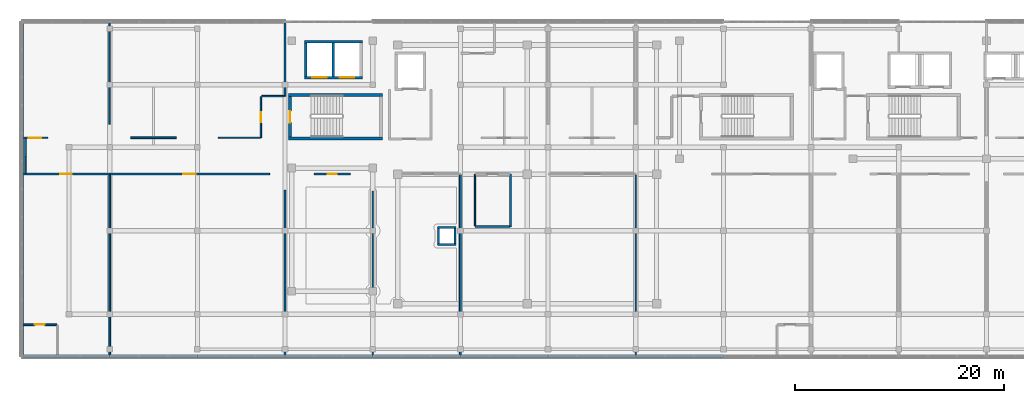
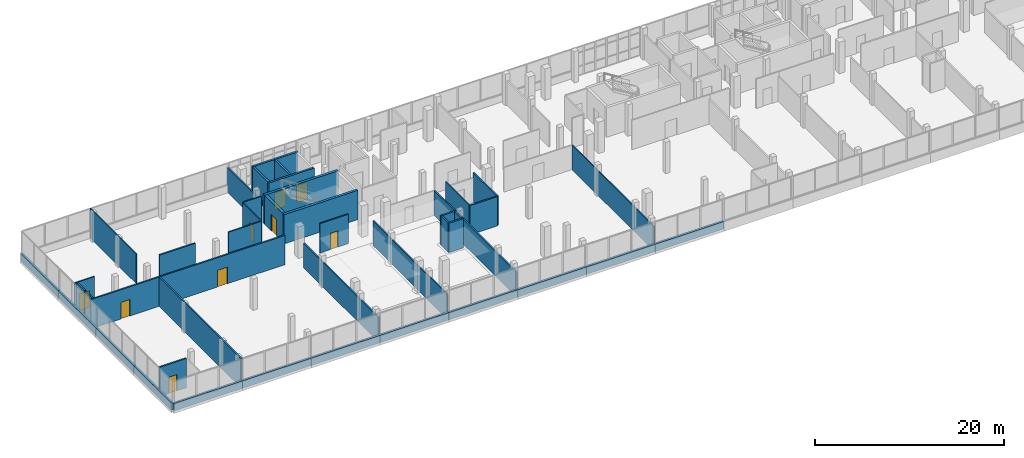
# One storey, part 55 of 66: 44 walls, 9 doors, 9 openings.
"""IFC4 building model written with IfcOpenShell, lengths in metres."""

from ifc_helpers import new_model, si_unit, direction, frame, frame_2d, origin, place, context, subcontext, project, spatial, rectangle, extrude, material, layer, layer_set, type_object, element, fill, save


model = new_model("IFC4")

# Units and contexts
model_context = context("Model", 3, precision=1e-05, world=origin(), true_north=direction((0.0, 1.0)))
body_context = subcontext(model_context, "Body", "Model", "MODEL_VIEW")
ifc_project = project(units=[si_unit("LENGTHUNIT", "METRE"), si_unit("AREAUNIT", "SQUARE_METRE"), si_unit("VOLUMEUNIT", "CUBIC_METRE"), si_unit("PLANEANGLEUNIT", "RADIAN"), si_unit("MASSUNIT", "GRAM", prefix="KILO")], contexts=[model_context])

# Site, building, storey
site_placement = place(None, origin())
site = spatial("IfcSite", under=ifc_project, at=site_placement, CompositionType="ELEMENT")
building_placement = place(site_placement, origin())
building = spatial("IfcBuilding", under=site, at=building_placement, Name="Selatvlak General Hospital", CompositionType="ELEMENT")
storey_placement = place(building_placement, frame((0.0, 0.0, 31.35009765625)))
storey = spatial("IfcBuildingStorey", under=building, at=storey_placement, Name="L07", CompositionType="ELEMENT", Elevation=31.35009765625)

# Walls
ifc_material_1 = material(Name="Precast concrete C40/50 - white Bauhaus spandrel", Category="concrete")
ifc_layer_1 = layer(ifc_material_1, 0.280029296875, Name="Precast concrete C40/50 - white Bauhaus spandrel", Category="concrete")
ifc_layer_set_1 = layer_set([ifc_layer_1], Name="Precast concrete C40/50 - white Bauhaus spandrel")
wall_type_1 = type_object("IfcWallType", Name="WALL-EW-02", PredefinedType="SOLIDWALL", material=ifc_layer_set_1)
wall_1_placement = place(storey_placement, frame((22.800048828125, 88.139892578125, 0.0), z_axis=(0.0, 0.0, 1.0), x_axis=(0.0, 1.0, 0.0)))
element("IfcWall", 1, at=wall_1_placement, inside=storey, type_object=wall_type_1, Name="L07 Bauhaus spandrel sill wall 0565", PredefinedType="SOLIDWALL", context=body_context, shape_type="SweptSolid", body=[
    extrude(rectangle(XDim=7.858154296875, YDim=0.280029296875, at=frame_2d((3.92919921875, 0.0))), origin(), (0.0, 0.0, 1.0), 0.93994140625),
])
wall_2_placement = place(storey_placement, frame((22.800048828125, 96.001953125, 0.0), z_axis=(0.0, 0.0, 1.0), x_axis=(0.0, 1.0, 0.0)))
element("IfcWall", 2, at=wall_2_placement, inside=storey, type_object=wall_type_1, Name="L07 Bauhaus spandrel sill wall 0566", PredefinedType="SOLIDWALL", context=body_context, shape_type="SweptSolid", body=[
    extrude(rectangle(XDim=7.9951171875, YDim=0.280029296875, at=frame_2d((3.99755859375, 0.0))), origin(), (0.0, 0.0, 1.0), 0.93994140625),
])
wall_3_placement = place(storey_placement, frame((22.800048828125, 104.0009765625, 0.0), z_axis=(0.0, 0.0, 1.0), x_axis=(0.0, 1.0, 0.0)))
element("IfcWall", 3, at=wall_3_placement, inside=storey, type_object=wall_type_1, Name="L07 Bauhaus spandrel sill wall 0567", PredefinedType="SOLIDWALL", context=body_context, shape_type="SweptSolid", body=[
    extrude(rectangle(XDim=7.99609375, YDim=0.280029296875, at=frame_2d((3.998046875, 0.0))), origin(), (0.0, 0.0, 1.0), 0.93994140625),
])
wall_4_placement = place(storey_placement, frame((22.800048828125, 112.0009765625, 0.0), z_axis=(0.0, 0.0, 1.0), x_axis=(0.0, 1.0, 0.0)))
element("IfcWall", 4, at=wall_4_placement, inside=storey, type_object=wall_type_1, Name="L07 Bauhaus spandrel sill wall 0568", PredefinedType="SOLIDWALL", context=body_context, shape_type="SweptSolid", body=[
    extrude(rectangle(XDim=7.85791015625, YDim=0.280029296875, at=frame_2d((3.928955078125, 0.0))), origin(), (0.0, 0.0, 1.0), 0.93994140625),
])
for number, where, z_axis, x_axis, name in (
    (5, (89.998046875, 88.0, 0.0), (0.0, 0.0, 1.0), (-1.0, 0.0, 0.0), "L07 Bauhaus spandrel sill wall 0595"),
    (6, (81.597900390625, 88.0, 0.0), (0.0, 0.0, 1.0), (-1.0, 0.0, 0.0), "L07 Bauhaus spandrel sill wall 0596"),
    (7, (73.197998046875, 88.0, 0.0), (0.0, 0.0, 1.0), (-1.0, 0.0, 0.0), "L07 Bauhaus spandrel sill wall 0597"),
    (8, (64.798095703125, 88.0, 0.0), (0.0, 0.0, 1.0), (-1.0, 0.0, 0.0), "L07 Bauhaus spandrel sill wall 0598"),
    (9, (56.39794921875, 88.0, 0.0), (0.0, 0.0, 1.0), (-1.0, 0.0, 0.0), "L07 Bauhaus spandrel sill wall 0599"),
    (10, (47.998046875, 88.0, 0.0), (0.0, 0.0, 1.0), (-1.0, 0.0, 0.0), "L07 Bauhaus spandrel sill wall 0600"),
    (11, (39.597900390625, 88.0, 0.0), (0.0, 0.0, 1.0), (-1.0, 0.0, 0.0), "L07 Bauhaus spandrel sill wall 0601"),
):
    element("IfcWall", number, at=place(storey_placement, frame(where, z_axis=z_axis, x_axis=x_axis)), inside=storey, type_object=wall_type_1, Name=name, PredefinedType="SOLIDWALL", context=body_context, shape_type="SweptSolid", body=[
        extrude(rectangle(XDim=8.39599609375, YDim=0.280029296875, at=frame_2d((4.197998046875, 0.0))), origin(), (0.0, 0.0, 1.0), 0.93994140625),
    ])
wall_5_placement = place(storey_placement, frame((31.197998046875, 88.0, 0.0), z_axis=(0.0, 0.0, 1.0), x_axis=(-1.0, 0.0, 0.0)))
element("IfcWall", 12, at=wall_5_placement, inside=storey, type_object=wall_type_1, Name="L07 Bauhaus spandrel sill wall 0602", PredefinedType="SOLIDWALL", context=body_context, shape_type="SweptSolid", body=[
    extrude(rectangle(XDim=8.258056640625, YDim=0.280029296875, at=frame_2d((4.12890625, 0.0))), origin(), (0.0, 0.0, 1.0), 0.93994140625),
])
ifc_material_2 = material(Name="Concrete C40/50", Category="concrete")
ifc_layer_2 = layer(ifc_material_2, 0.199951171875, Name="Concrete C40/50", Category="concrete")
ifc_layer_set_2 = layer_set([ifc_layer_2], Name="Concrete C40/50")
wall_type_2 = type_object("IfcWallType", Name="WALL-IW-02", PredefinedType="SOLIDWALL", material=ifc_layer_set_2)
wall_6_placement = place(storey_placement, frame((62.60009765625, 98.699951171875, 0.0), z_axis=(0.0, 0.0, 1.0), x_axis=(1.0, 0.0, 0.0)))
element("IfcWall", 13, at=wall_6_placement, inside=storey, type_object=wall_type_2, Name="Service riser 1 shaft wall L07 S", PredefinedType="SOLIDWALL", context=body_context, shape_type="SweptSolid", body=[
    extrude(rectangle(XDim=1.7998046875, YDim=0.199951171875, at=frame_2d((0.89990234375, 0.0))), origin(), (0.0, 0.0, 1.0), 3.784912109375),
])
wall_7_placement = place(storey_placement, frame((64.300048828125, 98.800048828125, 0.0), z_axis=(0.0, 0.0, 1.0), x_axis=(0.0, 1.0, 0.0)))
element("IfcWall", 14, at=wall_7_placement, inside=storey, type_object=wall_type_2, Name="Service riser 1 shaft wall L07 E", PredefinedType="SOLIDWALL", context=body_context, shape_type="SweptSolid", body=[
    extrude(rectangle(XDim=1.39990234375, YDim=0.199951171875, at=frame_2d((0.699951171875, 0.0))), origin(), (0.0, 0.0, 1.0), 3.784912109375),
])
wall_8_placement = place(storey_placement, frame((64.39990234375, 100.300048828125, 0.0), z_axis=(0.0, 0.0, 1.0), x_axis=(-1.0, 0.0, 0.0)))
element("IfcWall", 15, at=wall_8_placement, inside=storey, type_object=wall_type_2, Name="Service riser 1 shaft wall L07 N", PredefinedType="SOLIDWALL", context=body_context, shape_type="SweptSolid", body=[
    extrude(rectangle(XDim=1.7998046875, YDim=0.199951171875, at=frame_2d((0.89990234375, 0.0))), origin(), (0.0, 0.0, 1.0), 3.784912109375),
])
wall_9_placement = place(storey_placement, frame((62.699951171875, 100.199951171875, 0.0), z_axis=(0.0, 0.0, 1.0), x_axis=(0.0, -1.0, 0.0)))
element("IfcWall", 16, at=wall_9_placement, inside=storey, type_object=wall_type_2, Name="Service riser 1 shaft wall L07 W", PredefinedType="SOLIDWALL", context=body_context, shape_type="SweptSolid", body=[
    extrude(rectangle(XDim=1.39990234375, YDim=0.199951171875, at=frame_2d((0.699951171875, 0.0))), origin(), (0.0, 0.0, 1.0), 3.784912109375),
])
ifc_material_3 = material(Name="Acoustic gypsum stud partition")
ifc_layer_3 = layer(ifc_material_3, 0.179931640625, Name="Acoustic gypsum stud partition")
ifc_layer_set_3 = layer_set([ifc_layer_3], Name="Acoustic gypsum stud partition")
wall_type_3 = type_object("IfcWallType", Name="WALL-PT-01", PredefinedType="PARTITIONING", material=ifc_layer_set_3)
wall_10_placement = place(storey_placement, frame((69.60009765625, 105.419921875, 0.0), z_axis=(0.0, 0.0, 1.0), x_axis=(0.0, -1.0, 0.0)))
element("IfcWall", 17, at=wall_10_placement, inside=storey, type_object=wall_type_3, Name="L07 clinical partition PT-L07-2061", PredefinedType="PARTITIONING", context=body_context, shape_type="SweptSolid", body=[
    extrude(rectangle(XDim=5.02001953125, YDim=0.179931640625, at=frame_2d((2.510009765625, 0.0))), origin(), (0.0, 0.0, 1.0), 3.784912109375),
])

# Wall, opening, door
wall_11_placement = place(storey_placement, frame((22.842041015625, 105.43994140625, 0.0), z_axis=(0.0, 0.0, 1.0), x_axis=(1.0, 0.0, 0.0)))
wall_11 = element("IfcWall", 18, at=wall_11_placement, inside=storey, type_object=wall_type_3, Name="L07 clinical partition PT-L07-2076", PredefinedType="PARTITIONING", context=body_context, shape_type="SweptSolid", body=[
    extrude(rectangle(XDim=8.35791015625, YDim=0.179931640625, at=frame_2d((4.178955078125, 0.0))), origin(), (0.0, 0.0, 1.0), 3.784912109375),
])
opening_1_placement = place(wall_11_placement, frame((3.62890625, 0.0, 0.0)))
opening_1 = element("IfcOpeningElement", 19, at=opening_1_placement, cuts=wall_11, Name="Opening D-22", PredefinedType="OPENING", context=body_context, shape_type="SweptSolid", body=[
    extrude(rectangle(XDim=1.10009765625, YDim=2.14990234375, at=frame_2d((0.550048828125, 1.074951171875))), frame((0.0, 0.099853515625, 0.0), z_axis=(0.0, -1.0, 0.0), x_axis=(1.0, 0.0, 0.0)), (0.0, 0.0, 1.0), 0.199951171875),
])
ifc_material_4 = material(Name="Pharmacy security fire door")
door_type_1 = type_object("IfcDoorType", Name="DOOR-D-22", OperationType="NOTDEFINED", PredefinedType="DOOR", material=ifc_material_4)
door_1_placement = place(opening_1_placement, origin())
door_1 = element("IfcDoor", 20, at=door_1_placement, inside=storey, type_object=door_type_1, Name="L07 Single Patient Room 01 door", OperationType="SINGLE_SWING_RIGHT", OverallHeight=2.14990234375, OverallWidth=1.10009765625, PredefinedType="DOOR", context=body_context, shape_type="SweptSolid", body=[
    extrude(rectangle(XDim=1.10009765625, YDim=2.14990234375, at=frame_2d((0.550048828125, 1.074951171875))), frame((0.0, 0.02490234375, 0.0), z_axis=(0.0, -1.0, 0.0), x_axis=(1.0, 0.0, 0.0)), (0.0, 0.0, 1.0), 0.050048828125),
])
fill(opening_1, door_1)

wall_12_placement = place(storey_placement, frame((26.139892578125, 91.0, 0.0), z_axis=(0.0, 0.0, 1.0), x_axis=(-1.0, 0.0, 0.0)))
wall_12 = element("IfcWall", 21, at=wall_12_placement, inside=storey, type_object=wall_type_3, Name="L07 clinical partition PT-L07-2079", PredefinedType="PARTITIONING", context=body_context, shape_type="SweptSolid", body=[
    extrude(rectangle(XDim=3.2978515625, YDim=0.179931640625, at=frame_2d((1.64892578125, 0.0))), origin(), (0.0, 0.0, 1.0), 3.784912109375),
])
opening_2_placement = place(wall_12_placement, frame((1.174072265625, 0.0, 0.0)))
opening_2 = element("IfcOpeningElement", 22, at=opening_2_placement, cuts=wall_12, Name="Opening D-02", PredefinedType="OPENING", context=body_context, shape_type="SweptSolid", body=[
    extrude(rectangle(XDim=0.949951171875, YDim=2.10009765625, at=frame_2d((0.47509765625, 1.050048828125))), frame((0.0, 0.099853515625, 0.0), z_axis=(0.0, -1.0, 0.0), x_axis=(1.0, 0.0, 0.0)), (0.0, 0.0, 1.0), 0.199951171875),
])
ifc_material_5 = material(Name="Moisture-resistant en-suite door")
door_type_2 = type_object("IfcDoorType", Name="DOOR-D-02", OperationType="NOTDEFINED", PredefinedType="DOOR", material=ifc_material_5)
door_2_placement = place(opening_2_placement, origin())
door_2 = element("IfcDoor", 23, at=door_2_placement, inside=storey, type_object=door_type_2, Name="L07 Patient En-Suite WC 01 door", OperationType="SINGLE_SWING_LEFT", OverallHeight=2.10009765625, OverallWidth=0.949951171875, PredefinedType="DOOR", context=body_context, shape_type="SweptSolid", body=[
    extrude(rectangle(XDim=0.949951171875, YDim=2.10009765625, at=frame_2d((0.47509765625, 1.050048828125))), frame((0.0, 0.02490234375, 0.0), z_axis=(0.0, -1.0, 0.0), x_axis=(1.0, 0.0, 0.0)), (0.0, 0.0, 1.0), 0.050048828125),
])
fill(opening_2, door_2)

wall_13_placement = place(storey_placement, frame((31.199951171875, 105.43994140625, 0.0), z_axis=(0.0, 0.0, 1.0), x_axis=(1.0, 0.0, 0.0)))
wall_13 = element("IfcWall", 24, at=wall_13_placement, inside=storey, type_object=wall_type_3, Name="L07 clinical partition PT-L07-2080", PredefinedType="PARTITIONING", context=body_context, shape_type="SweptSolid", body=[
    extrude(rectangle(XDim=15.31494140625, YDim=0.179931640625, at=frame_2d((7.657470703125, 0.0))), origin(), (0.0, 0.0, 1.0), 3.784912109375),
])
opening_3_placement = place(wall_13_placement, frame((7.05810546875, 0.0, 0.0)))
opening_3 = element("IfcOpeningElement", 25, at=opening_3_placement, cuts=wall_13, Name="Opening D-07", PredefinedType="OPENING", context=body_context, shape_type="SweptSolid", body=[
    extrude(rectangle(XDim=1.199951171875, YDim=2.14990234375, at=frame_2d((0.60009765625, 1.074951171875))), frame((0.0, 0.099853515625, 0.0), z_axis=(0.0, -1.0, 0.0), x_axis=(1.0, 0.0, 0.0)), (0.0, 0.0, 1.0), 0.199951171875),
])
ifc_material_6 = material(Name="Plant and store fire door")
door_type_3 = type_object("IfcDoorType", Name="DOOR-D-07", OperationType="NOTDEFINED", PredefinedType="DOOR", material=ifc_material_6)
door_3_placement = place(opening_3_placement, origin())
door_3 = element("IfcDoor", 26, at=door_3_placement, inside=storey, type_object=door_type_3, Name="L07 Orthopaedic Inpatient Ward Bay 02 door", OperationType="SINGLE_SWING_RIGHT", OverallHeight=2.14990234375, OverallWidth=1.199951171875, PredefinedType="DOOR", context=body_context, shape_type="SweptSolid", body=[
    extrude(rectangle(XDim=1.199951171875, YDim=2.14990234375, at=frame_2d((0.60009765625, 1.074951171875))), frame((0.0, 0.02490234375, 0.0), z_axis=(0.0, -1.0, 0.0), x_axis=(1.0, 0.0, 0.0)), (0.0, 0.0, 1.0), 0.050048828125),
])
fill(opening_3, door_3)

# Walls
wall_14_placement = place(storey_placement, frame((64.800048828125, 105.384033203125, 0.0), z_axis=(0.0, 0.0, 1.0), x_axis=(0.0, -1.0, 0.0)))
element("IfcWall", 27, at=wall_14_placement, inside=storey, type_object=wall_type_3, Name="L07 clinical partition PT-L07-2085", PredefinedType="PARTITIONING", context=body_context, shape_type="SweptSolid", body=[
    extrude(rectangle(XDim=17.3740234375, YDim=0.179931640625, at=frame_2d((8.68701171875, 0.0))), origin(), (0.0, 0.0, 1.0), 3.184814453125),
])
wall_15_placement = place(storey_placement, frame((23.139892578125, 108.85400390625, 0.0), z_axis=(0.0, 0.0, 1.0), x_axis=(0.0, -1.0, 0.0)))
element("IfcWall", 28, at=wall_15_placement, inside=storey, type_object=wall_type_3, Name="L07 clinical partition PT-L07-2115", PredefinedType="PARTITIONING", context=body_context, shape_type="SweptSolid", body=[
    extrude(rectangle(XDim=1.75390625, YDim=0.179931640625, at=frame_2d((0.876953125, 0.0))), origin(), (0.0, 0.0, 1.0), 3.784912109375),
])
wall_16_placement = place(storey_placement, frame((37.589111328125, 108.909912109375, 0.0), z_axis=(0.0, 0.0, 1.0), x_axis=(-1.0, 0.0, 0.0)))
element("IfcWall", 29, at=wall_16_placement, inside=storey, type_object=wall_type_3, Name="L07 clinical partition PT-L07-2120", PredefinedType="PARTITIONING", context=body_context, shape_type="SweptSolid", body=[
    extrude(rectangle(XDim=4.378173828125, YDim=0.179931640625, at=frame_2d((2.18896484375, 0.0))), origin(), (0.0, 0.0, 1.0), 3.784912109375),
])
ifc_layer_4 = layer(ifc_material_3, 0.1650390625, Name="Acoustic gypsum stud partition")
ifc_layer_set_4 = layer_set([ifc_layer_4], Name="Acoustic gypsum stud partition")
wall_type_4 = type_object("IfcWallType", Name="WALL-PT-02", PredefinedType="PARTITIONING", material=ifc_layer_set_4)
wall_17_placement = place(storey_placement, frame((69.513916015625, 100.39990234375, 0.0), z_axis=(0.0, 0.0, 1.0), x_axis=(-1.0, 0.0, 0.0)))
element("IfcWall", 30, at=wall_17_placement, inside=storey, type_object=wall_type_4, Name="L07 clinical partition PT-L07-2062", PredefinedType="PARTITIONING", context=body_context, shape_type="SweptSolid", body=[
    extrude(rectangle(XDim=3.31396484375, YDim=0.1650390625, at=frame_2d((1.656982421875, 0.0))), origin(), (0.0, 0.0, 1.0), 3.784912109375),
])
wall_18_placement = place(storey_placement, frame((31.199951171875, 105.35400390625, 0.0), z_axis=(0.0, 0.0, 1.0), x_axis=(0.0, -1.0, 0.0)))
element("IfcWall", 31, at=wall_18_placement, inside=storey, type_object=wall_type_4, Name="L07 clinical partition PT-L07-2077", PredefinedType="PARTITIONING", context=body_context, shape_type="SweptSolid", body=[
    extrude(rectangle(XDim=17.343994140625, YDim=0.1650390625, at=frame_2d((8.671875, 0.0))), origin(), (0.0, 0.0, 1.0), 3.784912109375),
])
wall_19_placement = place(storey_placement, frame((48.0, 103.887939453125, 0.0), z_axis=(0.0, 0.0, 1.0), x_axis=(0.0, -1.0, 0.0)))
element("IfcWall", 32, at=wall_19_placement, inside=storey, type_object=wall_type_4, Name="L07 clinical partition PT-L07-2081", PredefinedType="PARTITIONING", context=body_context, shape_type="SweptSolid", body=[
    extrude(rectangle(XDim=15.8779296875, YDim=0.1650390625, at=frame_2d((7.93896484375, 0.0))), origin(), (0.0, 0.0, 1.0), 3.184814453125),
])
wall_20_placement = place(storey_placement, frame((48.0, 119.989990234375, 0.0), z_axis=(0.0, 0.0, 1.0), x_axis=(0.0, -1.0, 0.0)))
element("IfcWall", 33, at=wall_20_placement, inside=storey, type_object=wall_type_4, Name="L07 clinical partition PT-L07-2116", PredefinedType="PARTITIONING", context=body_context, shape_type="SweptSolid", body=[
    extrude(rectangle(XDim=7.090087890625, YDim=0.1650390625, at=frame_2d((3.544921875, 0.0))), origin(), (0.0, 0.0, 1.0), 3.184814453125),
])

# Wall, opening, door
ifc_layer_5 = layer(ifc_material_3, 0.14990234375, Name="Acoustic gypsum stud partition")
ifc_layer_set_5 = layer_set([ifc_layer_5], Name="Acoustic gypsum stud partition")
wall_type_5 = type_object("IfcWallType", Name="WALL-PT-03", PredefinedType="PARTITIONING", material=ifc_layer_set_5)
wall_21_placement = place(storey_placement, frame((50.784912109375, 105.43994140625, 0.0), z_axis=(0.0, 0.0, 1.0), x_axis=(1.0, 0.0, 0.0)))
wall_21 = element("IfcWall", 34, at=wall_21_placement, inside=storey, type_object=wall_type_5, Name="L07 clinical partition PT-L07-2082", PredefinedType="PARTITIONING", context=body_context, shape_type="SweptSolid", body=[
    extrude(rectangle(XDim=3.47998046875, YDim=0.14990234375, at=frame_2d((1.739990234375, 0.0))), origin(), (0.0, 0.0, 1.0), 3.784912109375),
])
opening_4_placement = place(wall_21_placement, frame((1.2900390625, 0.0, 0.0)))
opening_4 = element("IfcOpeningElement", 35, at=opening_4_placement, cuts=wall_21, Name="Opening D-01", PredefinedType="OPENING", context=body_context, shape_type="SweptSolid", body=[
    extrude(rectangle(XDim=0.89990234375, YDim=2.10009765625, at=frame_2d((0.449951171875, 1.050048828125))), frame((0.0, 0.0849609375, 0.0), z_axis=(0.0, -1.0, 0.0), x_axis=(1.0, 0.0, 0.0)), (0.0, 0.0, 1.0), 0.169921875),
])
ifc_material_7 = material(Name="Hardwood clinical room door", Category="wood")
door_type_4 = type_object("IfcDoorType", Name="DOOR-D-01", OperationType="NOTDEFINED", PredefinedType="DOOR", material=ifc_material_7)
door_4_placement = place(opening_4_placement, origin())
door_4 = element("IfcDoor", 36, at=door_4_placement, inside=storey, type_object=door_type_4, Name="L07 Oncology Inpatient Ward Bay 03 door", OperationType="SINGLE_SWING_LEFT", OverallHeight=2.10009765625, OverallWidth=0.89990234375, PredefinedType="DOOR", context=body_context, shape_type="SweptSolid", body=[
    extrude(rectangle(XDim=0.89990234375, YDim=2.10009765625, at=frame_2d((0.449951171875, 1.050048828125))), frame((0.0, 0.02490234375, 0.0), z_axis=(0.0, -1.0, 0.0), x_axis=(1.0, 0.0, 0.0)), (0.0, 0.0, 1.0), 0.050048828125),
])
fill(opening_4, door_4)

# Walls
wall_22_placement = place(storey_placement, frame((47.922119140625, 112.89990234375, 0.0), z_axis=(0.0, 0.0, 1.0), x_axis=(-1.0, 0.0, 0.0)))
element("IfcWall", 37, at=wall_22_placement, inside=storey, type_object=wall_type_5, Name="L07 clinical partition PT-L07-2117", PredefinedType="PARTITIONING", context=body_context, shape_type="SweptSolid", body=[
    extrude(rectangle(XDim=2.172119140625, YDim=0.14990234375, at=frame_2d((1.0859375, 0.0))), origin(), (0.0, 0.0, 1.0), 3.784912109375),
])
ifc_material_8 = material(Name="Moisture-resistant clinical partition")
ifc_layer_6 = layer(ifc_material_8, 0.135009765625, Name="Moisture-resistant clinical partition")
ifc_layer_set_6 = layer_set([ifc_layer_6], Name="Moisture-resistant clinical partition")
wall_type_6 = type_object("IfcWallType", Name="WALL-PT-04", PredefinedType="PARTITIONING", material=ifc_layer_set_6)
wall_23_placement = place(storey_placement, frame((66.199951171875, 100.47900390625, 0.0), z_axis=(0.0, 0.0, 1.0), x_axis=(0.0, 1.0, 0.0)))
element("IfcWall", 38, at=wall_23_placement, inside=storey, type_object=wall_type_6, Name="L07 clinical partition PT-L07-2063", PredefinedType="PARTITIONING", context=body_context, shape_type="SweptSolid", body=[
    extrude(rectangle(XDim=4.94091796875, YDim=0.135009765625, at=frame_2d((2.470458984375, 0.0))), origin(), (0.0, 0.0, 1.0), 3.784912109375),
])
wall_24_placement = place(storey_placement, frame((23.139892578125, 107.10009765625, 0.0), z_axis=(0.0, 0.0, 1.0), x_axis=(0.0, -1.0, 0.0)))
element("IfcWall", 39, at=wall_24_placement, inside=storey, type_object=wall_type_6, Name="L07 clinical partition PT-L07-2075", PredefinedType="PARTITIONING", context=body_context, shape_type="SweptSolid", body=[
    extrude(rectangle(XDim=1.60009765625, YDim=0.135009765625, at=frame_2d((0.800048828125, 0.0))), origin(), (0.0, 0.0, 1.0), 3.784912109375),
])
wall_25_placement = place(storey_placement, frame((56.39990234375, 103.7900390625, 0.0), z_axis=(0.0, 0.0, 1.0), x_axis=(0.0, -1.0, 0.0)))
element("IfcWall", 40, at=wall_25_placement, inside=storey, type_object=wall_type_6, Name="L07 clinical partition PT-L07-2083", PredefinedType="PARTITIONING", context=body_context, shape_type="SweptSolid", body=[
    extrude(rectangle(XDim=15.780029296875, YDim=0.135009765625, at=frame_2d((7.89013671875, 0.0))), origin(), (0.0, 0.0, 1.0), 3.184814453125),
])
wall_26_placement = place(storey_placement, frame((31.199951171875, 119.989990234375, 0.0), z_axis=(0.0, 0.0, 1.0), x_axis=(0.0, -1.0, 0.0)))
element("IfcWall", 41, at=wall_26_placement, inside=storey, type_object=wall_type_6, Name="L07 clinical partition PT-L07-2113", PredefinedType="PARTITIONING", context=body_context, shape_type="SweptSolid", body=[
    extrude(rectangle(XDim=9.780029296875, YDim=0.135009765625, at=frame_2d((4.89013671875, 0.0))), origin(), (0.0, 0.0, 1.0), 3.784912109375),
])

# Wall, opening, door
wall_27_placement = place(storey_placement, frame((45.68994140625, 112.840087890625, 0.0), z_axis=(0.0, 0.0, 1.0), x_axis=(0.0, -1.0, 0.0)))
wall_27 = element("IfcWall", 42, at=wall_27_placement, inside=storey, type_object=wall_type_6, Name="L07 clinical partition PT-L07-2118", PredefinedType="PARTITIONING", context=body_context, shape_type="SweptSolid", body=[
    extrude(rectangle(XDim=3.93017578125, YDim=0.135009765625, at=frame_2d((1.965087890625, 0.0))), origin(), (0.0, 0.0, 1.0), 3.784912109375),
])
opening_5_placement = place(wall_27_placement, frame((1.489990234375, 0.0, 0.0)))
opening_5 = element("IfcOpeningElement", 43, at=opening_5_placement, cuts=wall_27, Name="Opening D-02", PredefinedType="OPENING", context=body_context, shape_type="SweptSolid", body=[
    extrude(rectangle(XDim=0.949951171875, YDim=2.10009765625, at=frame_2d((0.47509765625, 1.050048828125))), frame((0.0, 0.077392578125, 0.0), z_axis=(0.0, -1.0, 0.0), x_axis=(1.0, 0.0, 0.0)), (0.0, 0.0, 1.0), 0.155029296875),
])
door_5_placement = place(opening_5_placement, origin())
door_5 = element("IfcDoor", 44, at=door_5_placement, inside=storey, type_object=door_type_2, Name="L07 Multidisciplinary Rehabilitation Gymnasium 16 door", OperationType="SINGLE_SWING_LEFT", OverallHeight=2.10009765625, OverallWidth=0.949951171875, PredefinedType="DOOR", context=body_context, shape_type="SweptSolid", body=[
    extrude(rectangle(XDim=0.949951171875, YDim=2.10009765625, at=frame_2d((0.47509765625, 1.050048828125))), frame((0.0, 0.02490234375, 0.0), z_axis=(0.0, -1.0, 0.0), x_axis=(1.0, 0.0, 0.0)), (0.0, 0.0, 1.0), 0.050048828125),
])
fill(opening_5, door_5)

# Wall
ifc_layer_7 = layer(ifc_material_8, 0.1201171875, Name="Moisture-resistant clinical partition")
ifc_layer_set_7 = layer_set([ifc_layer_7], Name="Moisture-resistant clinical partition")
wall_type_7 = type_object("IfcWallType", Name="WALL-PT-05", PredefinedType="PARTITIONING", material=ifc_layer_set_7)
wall_28_placement = place(storey_placement, frame((81.60009765625, 105.3759765625, 0.0), z_axis=(0.0, 0.0, 1.0), x_axis=(0.0, -1.0, 0.0)))
element("IfcWall", 45, at=wall_28_placement, inside=storey, type_object=wall_type_7, Name="L07 clinical partition PT-L07-2089", PredefinedType="PARTITIONING", context=body_context, shape_type="SweptSolid", body=[
    extrude(rectangle(XDim=17.365966796875, YDim=0.1201171875, at=frame_2d((8.68310546875, 0.0))), origin(), (0.0, 0.0, 1.0), 3.184814453125),
])

# Wall, opening, door
wall_29_placement = place(storey_placement, frame((25.2890625, 108.909912109375, 0.0), z_axis=(0.0, 0.0, 1.0), x_axis=(-1.0, 0.0, 0.0)))
wall_29 = element("IfcWall", 46, at=wall_29_placement, inside=storey, type_object=wall_type_7, Name="L07 clinical partition PT-L07-2114", PredefinedType="PARTITIONING", context=body_context, shape_type="SweptSolid", body=[
    extrude(rectangle(XDim=2.447021484375, YDim=0.1201171875, at=frame_2d((1.2236328125, 0.0))), origin(), (0.0, 0.0, 1.0), 3.784912109375),
])
opening_6_placement = place(wall_29_placement, frame((0.6240234375, 0.0, 0.0)))
opening_6 = element("IfcOpeningElement", 47, at=opening_6_placement, cuts=wall_29, Name="Opening D-23", PredefinedType="OPENING", context=body_context, shape_type="SweptSolid", body=[
    extrude(rectangle(XDim=1.199951171875, YDim=2.14990234375, at=frame_2d((0.60009765625, 1.074951171875))), frame((0.0, 0.070068359375, 0.0), z_axis=(0.0, -1.0, 0.0), x_axis=(1.0, 0.0, 0.0)), (0.0, 0.0, 1.0), 0.14013671875),
])
ifc_material_9 = material(Name="Endoscopy clinical door")
door_type_5 = type_object("IfcDoorType", Name="DOOR-D-23", OperationType="NOTDEFINED", PredefinedType="DOOR", material=ifc_material_9)
door_6_placement = place(opening_6_placement, origin())
door_6 = element("IfcDoor", 48, at=door_6_placement, inside=storey, type_object=door_type_5, Name="L07 Oncology Inpatient Ward Bay 15 door", OperationType="SINGLE_SWING_RIGHT", OverallHeight=2.14990234375, OverallWidth=1.199951171875, PredefinedType="DOOR", context=body_context, shape_type="SweptSolid", body=[
    extrude(rectangle(XDim=1.199951171875, YDim=2.14990234375, at=frame_2d((0.60009765625, 1.074951171875))), frame((0.0, 0.02490234375, 0.0), z_axis=(0.0, -1.0, 0.0), x_axis=(1.0, 0.0, 0.0)), (0.0, 0.0, 1.0), 0.050048828125),
])
fill(opening_6, door_6)

# Walls
wall_30_placement = place(storey_placement, frame((45.626953125, 108.909912109375, 0.0), z_axis=(0.0, 0.0, 1.0), x_axis=(-1.0, 0.0, 0.0)))
element("IfcWall", 49, at=wall_30_placement, inside=storey, type_object=wall_type_7, Name="L07 clinical partition PT-L07-2119", PredefinedType="PARTITIONING", context=body_context, shape_type="SweptSolid", body=[
    extrude(rectangle(XDim=4.015869140625, YDim=0.1201171875, at=frame_2d((2.0078125, 0.0))), origin(), (0.0, 0.0, 1.0), 3.784912109375),
])
ifc_material_10 = material(Name="Concrete C45/55", Category="concrete")
ifc_layer_8 = layer(ifc_material_10, 0.300048828125, Name="Concrete C45/55", Category="concrete")
ifc_layer_set_8 = layer_set([ifc_layer_8], Name="Concrete C45/55")
wall_type_8 = type_object("IfcWallType", Name="WALL-SW-02", PredefinedType="SHEAR", material=ifc_layer_set_8)
for number, where, z_axis, x_axis, name in (
    (50, (48.340087890625, 108.840087890625, 0.0), (0.0, 0.0, 1.0), (1.0, 0.0, 0.0), "ST-01 core shear wall L07 S"),
    (51, (57.360107421875, 113.0, 0.0), (0.0, 0.0, 1.0), (-1.0, 0.0, 0.0), "ST-01 core shear wall L07 N"),
):
    element("IfcWall", number, at=place(storey_placement, frame(where, z_axis=z_axis, x_axis=x_axis)), inside=storey, type_object=wall_type_8, Name=name, PredefinedType="SHEAR", context=body_context, shape_type="SweptSolid", body=[
        extrude(rectangle(XDim=9.02001953125, YDim=0.300048828125, at=frame_2d((4.510009765625, 0.0))), origin(), (0.0, 0.0, 1.0), 3.784912109375),
    ])

# Wall, opening, door
wall_31_placement = place(storey_placement, frame((48.489990234375, 112.85009765625, 0.0), z_axis=(0.0, 0.0, 1.0), x_axis=(0.0, -1.0, 0.0)))
wall_31 = element("IfcWall", 52, at=wall_31_placement, inside=storey, type_object=wall_type_8, Name="ST-01 core shear wall L07 W", PredefinedType="SHEAR", context=body_context, shape_type="SweptSolid", body=[
    extrude(rectangle(XDim=3.860107421875, YDim=0.300048828125, at=frame_2d((1.93017578125, 0.0))), origin(), (0.0, 0.0, 1.0), 3.784912109375),
])
opening_7_placement = place(wall_31_placement, frame((1.3798828125, 0.0, 0.0)))
opening_7 = element("IfcOpeningElement", 53, at=opening_7_placement, cuts=wall_31, Name="Opening D-05", PredefinedType="OPENING", context=body_context, shape_type="SweptSolid", body=[
    extrude(rectangle(XDim=1.10009765625, YDim=2.14990234375, at=frame_2d((0.550048828125, 1.074951171875))), frame((0.0, 0.159912109375, 0.0), z_axis=(0.0, -1.0, 0.0), x_axis=(1.0, 0.0, 0.0)), (0.0, 0.0, 1.0), 0.320068359375),
])
ifc_material_11 = material(Name="Protected stair fire door")
door_type_6 = type_object("IfcDoorType", Name="DOOR-D-05", OperationType="NOTDEFINED", PredefinedType="DOOR", material=ifc_material_11)
door_7_placement = place(opening_7_placement, origin())
door_7 = element("IfcDoor", 54, at=door_7_placement, inside=storey, type_object=door_type_6, Name="ST-01 protected stair door on L07", OperationType="SINGLE_SWING_LEFT", OverallHeight=2.14990234375, OverallWidth=1.10009765625, PredefinedType="DOOR", context=body_context, shape_type="SweptSolid", body=[
    extrude(rectangle(XDim=1.10009765625, YDim=2.14990234375, at=frame_2d((0.550048828125, 1.074951171875))), frame((0.0, 0.02490234375, 0.0), z_axis=(0.0, -1.0, 0.0), x_axis=(1.0, 0.0, 0.0)), (0.0, 0.0, 1.0), 0.050048828125),
])
fill(opening_7, door_7)

# Wall, openings, doors
ifc_layer_9 = layer(ifc_material_2, 0.25, Name="Concrete C40/50", Category="concrete")
ifc_layer_set_9 = layer_set([ifc_layer_9], Name="Concrete C40/50")
wall_type_9 = type_object("IfcWallType", Name="WALL-SW-03", PredefinedType="SHEAR", material=ifc_layer_set_9)
wall_32_placement = place(storey_placement, frame((49.85009765625, 114.675048828125, 0.0), z_axis=(0.0, 0.0, 1.0), x_axis=(1.0, 0.0, 0.0)))
wall_32 = element("IfcWall", 55, at=wall_32_placement, inside=storey, type_object=wall_type_9, Name="Lift LB-01-LB-02 shaft wall L07 S", PredefinedType="SHEAR", context=body_context, shape_type="SweptSolid", body=[
    extrude(rectangle(XDim=5.5498046875, YDim=0.25, at=frame_2d((2.77490234375, 0.0))), origin(), (0.0, 0.0, 1.0), 3.784912109375),
])
opening_8_placement = place(wall_32_placement, frame((0.75, 0.0, 0.0)))
opening_8 = element("IfcOpeningElement", 56, at=opening_8_placement, cuts=wall_32, Name="Opening LD-B1", PredefinedType="OPENING", context=body_context, shape_type="SweptSolid", body=[
    extrude(rectangle(XDim=1.39990234375, YDim=2.199951171875, at=frame_2d((0.699951171875, 1.10009765625))), frame((0.0, 0.135009765625, 0.0), z_axis=(0.0, -1.0, 0.0), x_axis=(1.0, 0.0, 0.0)), (0.0, 0.0, 1.0), 0.27001953125),
])
opening_9_placement = place(wall_32_placement, frame((3.39990234375, 0.0, 0.0)))
opening_9 = element("IfcOpeningElement", 57, at=opening_9_placement, cuts=wall_32, Name="Opening LD-B1", PredefinedType="OPENING", context=body_context, shape_type="SweptSolid", body=[
    extrude(rectangle(XDim=1.39990234375, YDim=2.199951171875, at=frame_2d((0.699951171875, 1.10009765625))), frame((0.0, 0.135009765625, 0.0), z_axis=(0.0, -1.0, 0.0), x_axis=(1.0, 0.0, 0.0)), (0.0, 0.0, 1.0), 0.27001953125),
])
ifc_material_12 = material(Name="Stainless steel stretcher lift landing door", Category="steel")
door_type_7 = type_object("IfcDoorType", Name="DOOR-LD-B1", OperationType="DOUBLE_DOOR_SLIDING", PredefinedType="DOOR", material=ifc_material_12)
door_8_placement = place(opening_8_placement, origin())
door_8 = element("IfcDoor", 58, at=door_8_placement, inside=storey, type_object=door_type_7, Name="Lift LB-01 sliding landing door on L07", OperationType="DOUBLE_DOOR_SLIDING", OverallHeight=2.199951171875, OverallWidth=1.39990234375, PredefinedType="DOOR", context=body_context, shape_type="SweptSolid", body=[
    extrude(rectangle(XDim=1.39990234375, YDim=2.199951171875, at=frame_2d((0.699951171875, 1.10009765625))), frame((0.0, 0.02490234375, 0.0), z_axis=(0.0, -1.0, 0.0), x_axis=(1.0, 0.0, 0.0)), (0.0, 0.0, 1.0), 0.050048828125),
])
fill(opening_8, door_8)
door_9_placement = place(opening_9_placement, origin())
door_9 = element("IfcDoor", 59, at=door_9_placement, inside=storey, type_object=door_type_7, Name="Lift LB-02 sliding landing door on L07", OperationType="DOUBLE_DOOR_SLIDING", OverallHeight=2.199951171875, OverallWidth=1.39990234375, PredefinedType="DOOR", context=body_context, shape_type="SweptSolid", body=[
    extrude(rectangle(XDim=1.39990234375, YDim=2.199951171875, at=frame_2d((0.699951171875, 1.10009765625))), frame((0.0, 0.02490234375, 0.0), z_axis=(0.0, -1.0, 0.0), x_axis=(1.0, 0.0, 0.0)), (0.0, 0.0, 1.0), 0.050048828125),
])
fill(opening_9, door_9)

# Walls
wall_33_placement = place(storey_placement, frame((55.39990234375, 118.125, 0.0), z_axis=(0.0, 0.0, 1.0), x_axis=(-1.0, 0.0, 0.0)))
element("IfcWall", 60, at=wall_33_placement, inside=storey, type_object=wall_type_9, Name="Lift LB-01-LB-02 shaft wall L07 N", PredefinedType="SHEAR", context=body_context, shape_type="SweptSolid", body=[
    extrude(rectangle(XDim=5.5498046875, YDim=0.25, at=frame_2d((2.77490234375, 0.0))), origin(), (0.0, 0.0, 1.0), 3.784912109375),
])
for number, where, z_axis, x_axis, name in (
    (61, (49.97509765625, 118.0, 0.0), (0.0, 0.0, 1.0), (0.0, -1.0, 0.0), "Lift LB-01-LB-02 shaft wall L07 W"),
    (62, (52.625, 114.800048828125, 0.0), (0.0, 0.0, 1.0), (0.0, 1.0, 0.0), "Lift LB-01-LB-02 dividing shaft wall L07"),
):
    element("IfcWall", number, at=place(storey_placement, frame(where, z_axis=z_axis, x_axis=x_axis)), inside=storey, type_object=wall_type_9, Name=name, PredefinedType="SHEAR", context=body_context, shape_type="SweptSolid", body=[
        extrude(rectangle(XDim=3.199951171875, YDim=0.25, at=frame_2d((1.60009765625, 0.0))), origin(), (0.0, 0.0, 1.0), 3.784912109375),
    ])

save(model, "model.ifc")
